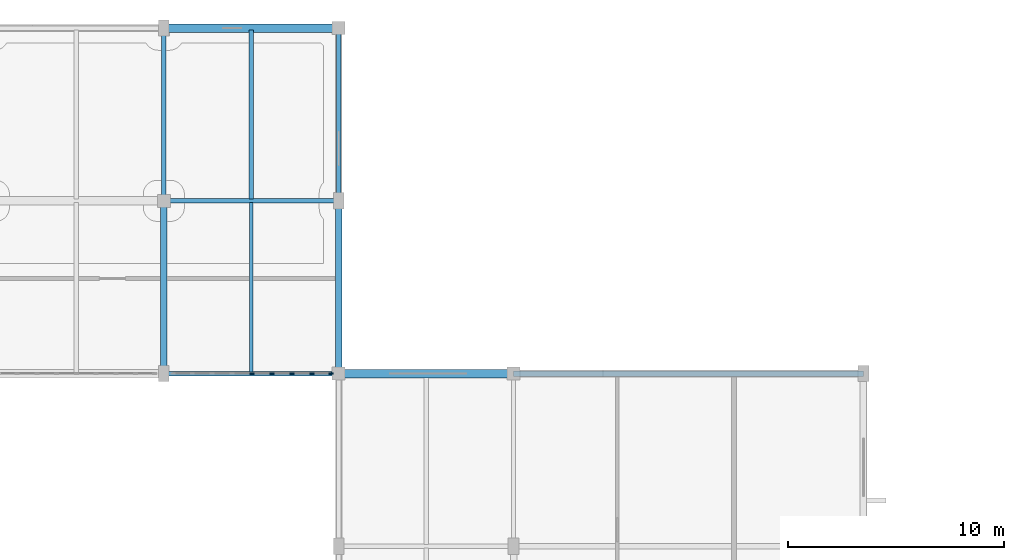
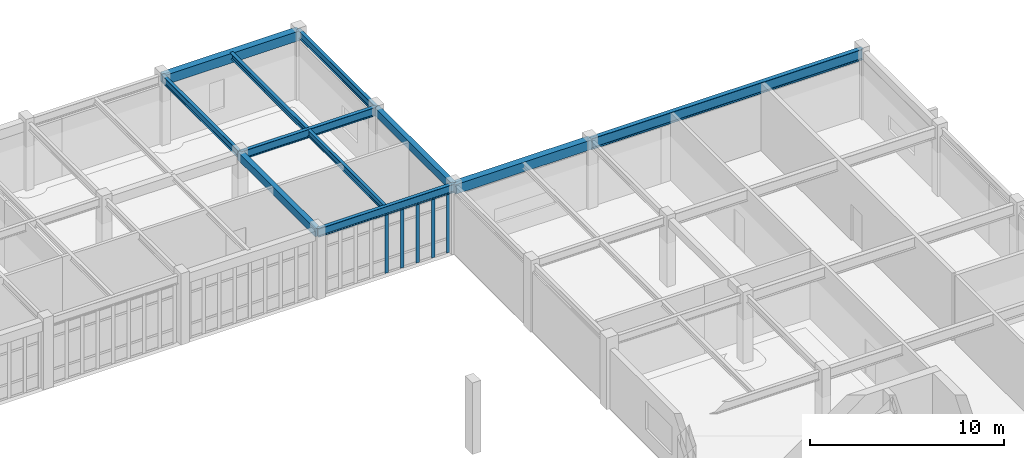
# One storey, part 19 of 67: 11 beams, 5 members, 1 element without a shape of its own.
"""IFC4 building model written with IfcOpenShell, lengths in metres."""

from ifc_helpers import new_model, si_unit, direction, frame, origin, origin_2d, place, context, subcontext, project, spatial, rectangle, i_section, extrude, material, material_profile, profile_set, type_object, element, aggregate, save


model = new_model("IFC4")

# Units and contexts
model_context = context("Model", 3, precision=1e-05, world=origin(), true_north=direction((0.0, 1.0)))
body_context = subcontext(model_context, "Body", "Model", "MODEL_VIEW")
ifc_project = project(units=[si_unit("LENGTHUNIT", "METRE"), si_unit("AREAUNIT", "SQUARE_METRE"), si_unit("VOLUMEUNIT", "CUBIC_METRE"), si_unit("PLANEANGLEUNIT", "RADIAN"), si_unit("MASSUNIT", "GRAM", prefix="KILO")], contexts=[model_context])

# Site, building, storey
site_placement = place(None, origin())
site = spatial("IfcSite", under=ifc_project, at=site_placement, CompositionType="ELEMENT")
building_placement = place(site_placement, origin())
building = spatial("IfcBuilding", under=site, at=building_placement, Name="Tarnveldt Square Police Headquarters", CompositionType="ELEMENT")
storey_placement = place(building_placement, frame((0.0, 0.0, 10.199951171875)))
storey = spatial("IfcBuildingStorey", under=building, at=storey_placement, Name="L02", CompositionType="ELEMENT", Elevation=10.199951171875)

# Beams
ifc_material_1 = material(Name="Concrete 40 MPa", Category="concrete")
ifc_material_profile_1 = material_profile(ifc_material_1, rectangle(XDim=0.300048828125, YDim=0.5, at=origin_2d()), Name="RC-B300x500")
ifc_profile_set_1 = profile_set([ifc_material_profile_1], Name="Concrete 40 MPa")
beam_type_1 = type_object("IfcBeamType", Name="BM-RC300x500", PredefinedType="BEAM", material=ifc_profile_set_1)
for number, where, z_axis, x_axis, name in (
    (1, (97.199951171875, 96.0, 3.989990234375), (0.0, 1.0, 0.0), (-1.0, 0.0, 0.0), "L03 Grid Girder Y-0790"),
    (2, (105.300048828125, 96.0, 3.989990234375), (0.0, 1.0, 0.0), (-1.0, 0.0, 0.0), "L03 Grid Girder Y-0796"),
):
    element("IfcBeam", number, at=place(storey_placement, frame(where, z_axis=z_axis, x_axis=x_axis)), inside=storey, type_object=beam_type_1, Name=name, PredefinedType="BEAM", context=body_context, shape_type="SweptSolid", body=[
        extrude(rectangle(XDim=0.300048828125, YDim=0.5, at=origin_2d()), origin(), (0.0, 0.0, 1.0), 8.0),
    ])
ifc_material_profile_2 = material_profile(ifc_material_1, rectangle(XDim=0.39990234375, YDim=0.60009765625, at=origin_2d()), Name="RC-B400x600")
ifc_profile_set_2 = profile_set([ifc_material_profile_2], Name="Concrete 40 MPa")
beam_type_2 = type_object("IfcBeamType", Name="BM-RC400x600", PredefinedType="BEAM", material=ifc_profile_set_2)
beam_1_placement = place(storey_placement, frame((105.300048828125, 96.0, 3.93994140625), z_axis=(1.0, 0.0, 0.0), x_axis=(0.0, 1.0, 0.0)))
element("IfcBeam", 3, at=beam_1_placement, inside=storey, type_object=beam_type_2, Name="L03 Grid Girder X-0720", PredefinedType="BEAM", context=body_context, shape_type="SweptSolid", body=[
    extrude(rectangle(XDim=0.39990234375, YDim=0.60009765625, at=origin_2d()), origin(), (0.0, 0.0, 1.0), 8.099853515625),
])
beam_2_placement = place(storey_placement, frame((97.199951171875, 112.0, 3.93994140625), z_axis=(1.0, 0.0, 0.0), x_axis=(0.0, 1.0, 0.0)))
element("IfcBeam", 4, at=beam_2_placement, inside=storey, type_object=beam_type_2, Name="L03 Grid Girder X-0738", PredefinedType="BEAM", context=body_context, shape_type="SweptSolid", body=[
    extrude(rectangle(XDim=0.39990234375, YDim=0.60009765625, at=origin_2d()), origin(), (0.0, 0.0, 1.0), 8.10009765625),
])
ifc_material_2 = material(Name="Steel 350W", Category="steel")
ifc_material_profile_3 = material_profile(ifc_material_2, i_section(OverallWidth=0.202880859375, OverallDepth=0.346923828125, WebThickness=0.0078125, FlangeThickness=0.013427734375, FilletRadius=0.01611328125, at=origin_2d()), Name="W360x64")
ifc_profile_set_3 = profile_set([ifc_material_profile_3], Name="Steel 350W")
beam_type_3 = type_object("IfcBeamType", Name="BM-W360x64", PredefinedType="JOIST", material=ifc_profile_set_3)
beam_3_placement = place(storey_placement, frame((101.25, 104.080078125, 4.066650390625), z_axis=(0.0, 1.0, 0.0), x_axis=(-1.0, 0.0, 0.0)))
element("IfcBeam", 5, at=beam_3_placement, inside=storey, type_object=beam_type_3, Name="L03 Secondary Floor Joist 0179", PredefinedType="JOIST", context=body_context, shape_type="SweptSolid", body=[
    extrude(i_section(OverallWidth=0.202880859375, OverallDepth=0.346923828125, WebThickness=0.0078125, FlangeThickness=0.013427734375, FilletRadius=0.01611328125, at=origin_2d()), origin(), (0.0, 0.0, 1.0), 7.83984375),
])
ifc_material_profile_4 = material_profile(ifc_material_2, i_section(OverallWidth=0.177978515625, OverallDepth=0.406982421875, WebThickness=0.0078125, FlangeThickness=0.0126953125, FilletRadius=0.01611328125, at=origin_2d()), Name="W410x60")
ifc_profile_set_4 = profile_set([ifc_material_profile_4], Name="Steel 350W")
beam_type_4 = type_object("IfcBeamType", Name="BM-W410x60", PredefinedType="JOIST", material=ifc_profile_set_4)
beam_4_placement = place(storey_placement, frame((101.25, 96.080078125, 4.03662109375), z_axis=(0.0, 1.0, 0.0), x_axis=(-1.0, 0.0, 0.0)))
element("IfcBeam", 6, at=beam_4_placement, inside=storey, type_object=beam_type_4, Name="L03 Secondary Floor Joist 0173", PredefinedType="JOIST", context=body_context, shape_type="SweptSolid", body=[
    extrude(i_section(OverallWidth=0.177978515625, OverallDepth=0.406982421875, WebThickness=0.0078125, FlangeThickness=0.0126953125, FilletRadius=0.01611328125, at=origin_2d()), origin(), (0.0, 0.0, 1.0), 7.83984375),
])
ifc_material_profile_5 = material_profile(ifc_material_2, i_section(OverallWidth=0.19189453125, OverallDepth=0.462890625, WebThickness=0.010498046875, FlangeThickness=0.017578125, FilletRadius=0.01806640625, at=origin_2d()), Name="W460x89")
ifc_profile_set_5 = profile_set([ifc_material_profile_5], Name="Steel 350W")
beam_type_5 = type_object("IfcBeamType", Name="BM-W460x89", PredefinedType="BEAM", material=ifc_profile_set_5)
for number, where, z_axis, x_axis, name in (
    (7, (97.199951171875, 104.0, 4.008544921875), (0.0, 1.0, 0.0), (-1.0, 0.0, 0.0), "L03 Grid Girder Y-0791"),
    (8, (105.300048828125, 104.0, 4.008544921875), (0.0, 1.0, 0.0), (-1.0, 0.0, 0.0), "L03 Grid Girder Y-0797"),
):
    element("IfcBeam", number, at=place(storey_placement, frame(where, z_axis=z_axis, x_axis=x_axis)), inside=storey, type_object=beam_type_5, Name=name, PredefinedType="BEAM", context=body_context, shape_type="SweptSolid", body=[
        extrude(i_section(OverallWidth=0.19189453125, OverallDepth=0.462890625, WebThickness=0.010498046875, FlangeThickness=0.017578125, FilletRadius=0.01806640625, at=origin_2d()), origin(), (0.0, 0.0, 1.0), 8.0),
    ])
ifc_material_profile_6 = material_profile(ifc_material_2, i_section(OverallWidth=0.208984375, OverallDepth=0.532958984375, WebThickness=0.01025390625, FlangeThickness=0.015625, FilletRadius=0.01904296875, at=origin_2d()), Name="W530x92")
ifc_profile_set_6 = profile_set([ifc_material_profile_6], Name="Steel 350W")
beam_type_6 = type_object("IfcBeamType", Name="BM-W530x92", PredefinedType="BEAM", material=ifc_profile_set_6)
for number, where, z_axis, x_axis, name in (
    (9, (97.199951171875, 96.0, 3.9736328125), (1.0, 0.0, 0.0), (0.0, 1.0, 0.0), "L03 Grid Girder X-0719"),
    (10, (97.199951171875, 104.0, 3.9736328125), (1.0, 0.0, 0.0), (0.0, 1.0, 0.0), "L03 Grid Girder X-0727"),
):
    element("IfcBeam", number, at=place(storey_placement, frame(where, z_axis=z_axis, x_axis=x_axis)), inside=storey, type_object=beam_type_6, Name=name, PredefinedType="BEAM", context=body_context, shape_type="SweptSolid", body=[
        extrude(i_section(OverallWidth=0.208984375, OverallDepth=0.532958984375, WebThickness=0.01025390625, FlangeThickness=0.015625, FilletRadius=0.01904296875, at=origin_2d()), origin(), (0.0, 0.0, 1.0), 8.10009765625),
    ])
ifc_material_profile_7 = material_profile(ifc_material_2, i_section(OverallWidth=0.25390625, OverallDepth=0.68798828125, WebThickness=0.01318359375, FlangeThickness=0.02099609375, FilletRadius=0.02001953125, at=origin_2d()), Name="W690x152")
ifc_profile_set_7 = profile_set([ifc_material_profile_7], Name="Steel 350W")
beam_type_7 = type_object("IfcBeamType", Name="BM-W690x152", PredefinedType="BEAM", material=ifc_profile_set_7)
beam_5_placement = place(storey_placement, frame((113.39990234375, 96.0, 3.89599609375), z_axis=(1.0, 0.0, 0.0), x_axis=(0.0, 1.0, 0.0)))
element("IfcBeam", 11, at=beam_5_placement, inside=storey, type_object=beam_type_7, Name="L03 Grid Girder X-0721", PredefinedType="BEAM", context=body_context, shape_type="SweptSolid", body=[
    extrude(i_section(OverallWidth=0.25390625, OverallDepth=0.68798828125, WebThickness=0.01318359375, FlangeThickness=0.02099609375, FilletRadius=0.02001953125, at=origin_2d()), origin(), (0.0, 0.0, 1.0), 16.2001953125),
])

# Curtain wall, members
ifc_material_3 = material(Name="Triple-glazed low-e laminated vision glass", Category="glass")
curtain_wall_type = type_object("IfcCurtainWallType", Name="CW-LB-739x370", PredefinedType="USERDEFINED", material=ifc_material_3)
curtain_wall_placement = place(storey_placement, origin())
curtain_wall = element("IfcCurtainWall", 12, at=curtain_wall_placement, inside=storey, type_object=curtain_wall_type, Name="L02 Curtain Wall CW-L02-118", ObjectType="GLAZED CURTAIN WALL", PredefinedType="USERDEFINED")
ifc_material_4 = material(Name="Thermally broken anodised aluminium 6063-T6", Category="aluminium")
ifc_material_profile_8 = material_profile(ifc_material_4, rectangle(XDim=0.074951171875, YDim=0.199951171875, at=origin_2d()), Name="CW-M75x200")
ifc_profile_set_8 = profile_set([ifc_material_profile_8], Name="Thermally broken anodised aluminium 6063-T6")
member_type = type_object("IfcMemberType", Name="CWM-75x200", PredefinedType="MULLION", material=ifc_profile_set_8)
member_1_placement = place(storey_placement, frame((101.28759765625, 96.0, 0.0), z_axis=(0.0, 0.0, 1.0), x_axis=(0.0, 1.0, 0.0)))
member_1 = element("IfcMember", 13, at=member_1_placement, type_object=member_type, Name="CW-LB68 mullion 5", PredefinedType="MULLION", context=body_context, shape_type="SweptSolid", body=[
    extrude(rectangle(XDim=0.074951171875, YDim=0.199951171875, at=origin_2d()), origin(), (0.0, 0.0, 1.0), 3.698974609375),
])
member_2_placement = place(storey_placement, frame((102.2119140625, 96.0, 0.0), z_axis=(0.0, 0.0, 1.0), x_axis=(0.0, 1.0, 0.0)))
member_2 = element("IfcMember", 14, at=member_2_placement, type_object=member_type, Name="CW-LB68 mullion 6", PredefinedType="MULLION", context=body_context, shape_type="SweptSolid", body=[
    extrude(rectangle(XDim=0.074951171875, YDim=0.199951171875, at=origin_2d()), origin(), (0.0, 0.0, 1.0), 3.698974609375),
])
member_3_placement = place(storey_placement, frame((103.13623046875, 96.0, 0.0), z_axis=(0.0, 0.0, 1.0), x_axis=(0.0, 1.0, 0.0)))
member_3 = element("IfcMember", 15, at=member_3_placement, type_object=member_type, Name="CW-LB68 mullion 7", PredefinedType="MULLION", context=body_context, shape_type="SweptSolid", body=[
    extrude(rectangle(XDim=0.074951171875, YDim=0.199951171875, at=origin_2d()), origin(), (0.0, 0.0, 1.0), 3.698974609375),
])
member_4_placement = place(storey_placement, frame((104.060546875, 96.0, 0.0), z_axis=(0.0, 0.0, 1.0), x_axis=(0.0, 1.0, 0.0)))
member_4 = element("IfcMember", 16, at=member_4_placement, type_object=member_type, Name="CW-LB68 mullion 8", PredefinedType="MULLION", context=body_context, shape_type="SweptSolid", body=[
    extrude(rectangle(XDim=0.074951171875, YDim=0.199951171875, at=origin_2d()), origin(), (0.0, 0.0, 1.0), 3.698974609375),
])
member_5_placement = place(storey_placement, frame((104.947509765625, 96.0, 0.0), z_axis=(0.0, 0.0, 1.0), x_axis=(0.0, 1.0, 0.0)))
member_5 = element("IfcMember", 17, at=member_5_placement, type_object=member_type, Name="CW-LB68 mullion 9", PredefinedType="MULLION", context=body_context, shape_type="SweptSolid", body=[
    extrude(rectangle(XDim=0.074951171875, YDim=0.199951171875, at=origin_2d()), origin(), (0.0, 0.0, 1.0), 3.698974609375),
])
aggregate(curtain_wall, [member_1, member_2, member_3, member_4, member_5])

save(model, "model.ifc")
